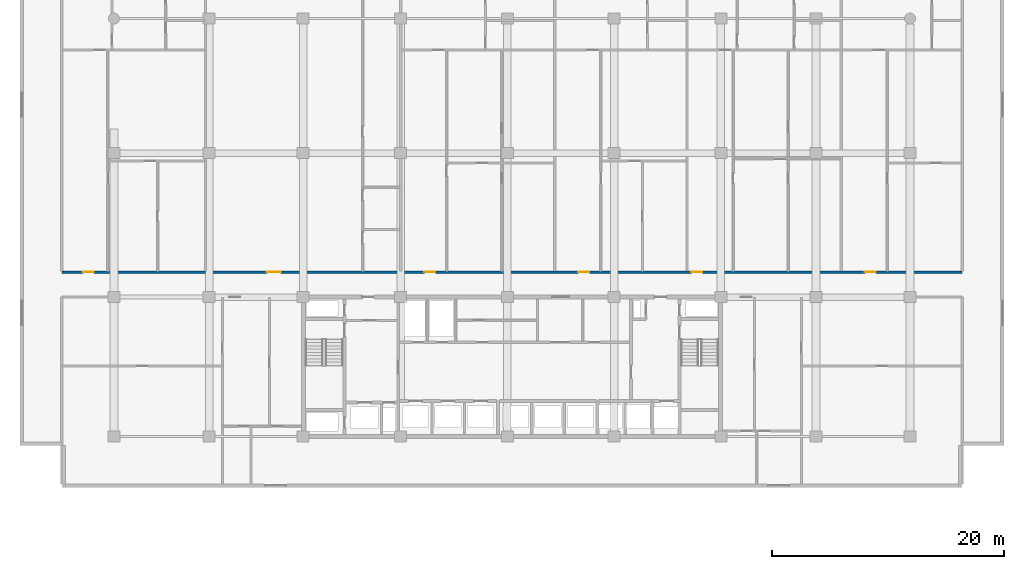
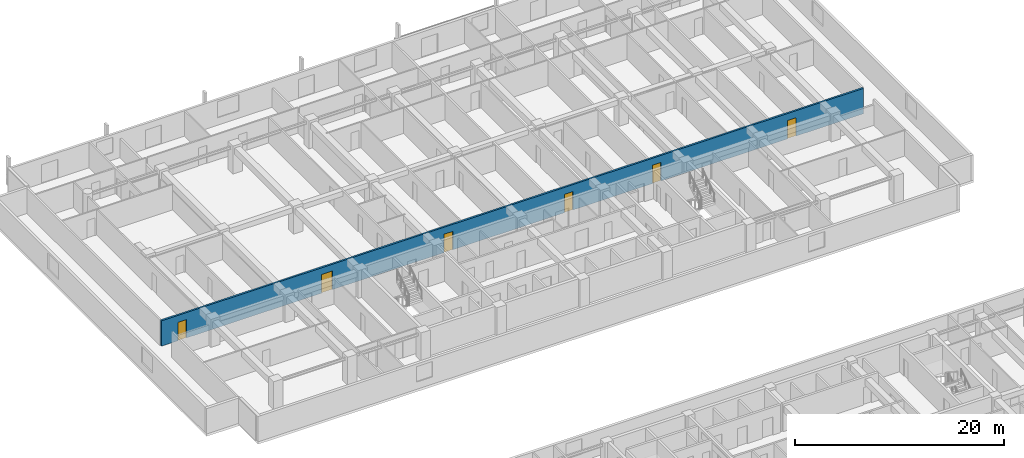
# One storey, part 13 of 23: 6 doors, 1 wall, 6 openings.
"""IFC4 building model written with IfcOpenShell, lengths in metres."""

from ifc_helpers import new_model, si_unit, direction, frame, frame_2d, origin, place, context, subcontext, project, spatial, rectangle, extrude, material, layer, layer_set, type_object, element, fill, save


model = new_model("IFC4")

# Units and contexts
model_context = context("Model", 3, precision=1e-05, world=origin(), true_north=direction((0.0, 1.0)))
body_context = subcontext(model_context, "Body", "Model", "MODEL_VIEW")
ifc_project = project(units=[si_unit("LENGTHUNIT", "METRE"), si_unit("AREAUNIT", "SQUARE_METRE"), si_unit("VOLUMEUNIT", "CUBIC_METRE"), si_unit("PLANEANGLEUNIT", "RADIAN"), si_unit("MASSUNIT", "GRAM", prefix="KILO")], contexts=[model_context])

# Site, building, storey
site_placement = place(None, origin())
site = spatial("IfcSite", under=ifc_project, at=site_placement, CompositionType="ELEMENT")
building_placement = place(site_placement, origin())
building = spatial("IfcBuilding", under=site, at=building_placement, Name="Korimba Cascade Residences", CompositionType="ELEMENT")
storey_placement = place(building_placement, frame((0.0, 0.0, 33.75)))
storey = spatial("IfcBuildingStorey", under=building, at=storey_placement, Name="L08", CompositionType="ELEMENT", Elevation=33.75)

# Wall, openings, doors
ifc_material_1 = material(Name="Precast concrete C40/50", Category="concrete")
ifc_layer = layer(ifc_material_1, 0.199951171875)
ifc_layer_set = layer_set([ifc_layer], Name="Precast concrete C40/50")
wall_type = type_object("IfcWallType", Name="WAL-IT-200", PredefinedType="PARTITIONING", material=ifc_layer_set)
wall_placement = place(storey_placement, frame((55.300048828125, 69.35009765625, 0.0), z_axis=(0.0, 0.0, 1.0), x_axis=(1.0, 0.0, 0.0)))
wall = element("IfcWall", 1, at=wall_placement, inside=storey, type_object=wall_type, Name="L08 Partition Wall WAL-L08-T1-CORN", PredefinedType="PARTITIONING", context=body_context, shape_type="SweptSolid", body=[
    extrude(rectangle(XDim=77.599853515625, YDim=0.199951171875, at=frame_2d((38.7998046875, 0.0))), origin(), (0.0, 0.0, 1.0), 2.969970703125),
])
opening_1_placement = place(wall_placement, frame((1.81005859375, 0.0, 0.0)))
opening_1 = element("IfcOpeningElement", 2, at=opening_1_placement, cuts=wall, Name="Opening D-UN1", PredefinedType="OPENING", context=body_context, shape_type="SweptSolid", body=[
    extrude(rectangle(XDim=0.949951171875, YDim=2.14990234375, at=frame_2d((0.47509765625, 1.074951171875))), frame((0.0, 0.10986328125, 0.0), z_axis=(0.0, -1.0, 0.0), x_axis=(1.0, 0.0, 0.0)), (0.0, 0.0, 1.0), 0.219970703125),
])
opening_2_placement = place(wall_placement, frame((17.668212890625, 0.0, 0.0)))
opening_2 = element("IfcOpeningElement", 3, at=opening_2_placement, cuts=wall, Name="Opening D-AM1", PredefinedType="OPENING", context=body_context, shape_type="SweptSolid", body=[
    extrude(rectangle(XDim=1.219970703125, YDim=2.179931640625, at=frame_2d((0.60986328125, 1.08984375))), frame((0.0, 0.10986328125, 0.0), z_axis=(0.0, -1.0, 0.0), x_axis=(1.0, 0.0, 0.0)), (0.0, 0.0, 1.0), 0.219970703125),
])
opening_3_placement = place(wall_placement, frame((31.244384765625, 0.0, 0.0)))
opening_3 = element("IfcOpeningElement", 4, at=opening_3_placement, cuts=wall, Name="Opening D-UN1", PredefinedType="OPENING", context=body_context, shape_type="SweptSolid", body=[
    extrude(rectangle(XDim=0.949951171875, YDim=2.14990234375, at=frame_2d((0.47509765625, 1.074951171875))), frame((0.0, 0.10986328125, 0.0), z_axis=(0.0, -1.0, 0.0), x_axis=(1.0, 0.0, 0.0)), (0.0, 0.0, 1.0), 0.219970703125),
])
opening_4_placement = place(wall_placement, frame((44.527099609375, 0.0, 0.0)))
opening_4 = element("IfcOpeningElement", 5, at=opening_4_placement, cuts=wall, Name="Opening D-UN1", PredefinedType="OPENING", context=body_context, shape_type="SweptSolid", body=[
    extrude(rectangle(XDim=0.949951171875, YDim=2.14990234375, at=frame_2d((0.47509765625, 1.074951171875))), frame((0.0, 0.10986328125, 0.0), z_axis=(0.0, -1.0, 0.0), x_axis=(1.0, 0.0, 0.0)), (0.0, 0.0, 1.0), 0.219970703125),
])
opening_5_placement = place(wall_placement, frame((54.257080078125, 0.0, 0.0)))
opening_5 = element("IfcOpeningElement", 6, at=opening_5_placement, cuts=wall, Name="Opening D-UN1", PredefinedType="OPENING", context=body_context, shape_type="SweptSolid", body=[
    extrude(rectangle(XDim=0.949951171875, YDim=2.14990234375, at=frame_2d((0.47509765625, 1.074951171875))), frame((0.0, 0.10986328125, 0.0), z_axis=(0.0, -1.0, 0.0), x_axis=(1.0, 0.0, 0.0)), (0.0, 0.0, 1.0), 0.219970703125),
])
opening_6_placement = place(wall_placement, frame((69.21484375, 0.0, 0.0)))
opening_6 = element("IfcOpeningElement", 7, at=opening_6_placement, cuts=wall, Name="Opening D-UN1", PredefinedType="OPENING", context=body_context, shape_type="SweptSolid", body=[
    extrude(rectangle(XDim=0.949951171875, YDim=2.14990234375, at=frame_2d((0.47509765625, 1.074951171875))), frame((0.0, 0.10986328125, 0.0), z_axis=(0.0, -1.0, 0.0), x_axis=(1.0, 0.0, 0.0)), (0.0, 0.0, 1.0), 0.219970703125),
])
ifc_material_2 = material(Name="Fire-Rated Glazed Timber Suite Door", Category="wood")
door_type_1 = type_object("IfcDoorType", Name="DR-FD60-1200", OperationType="NOTDEFINED", PredefinedType="DOOR", material=ifc_material_2)
door_1_placement = place(opening_2_placement, origin())
door_1 = element("IfcDoor", 8, at=door_1_placement, inside=storey, type_object=door_type_1, Name="L08-T1-U02 Business Collaboration Office Door", OperationType="SINGLE_SWING_RIGHT", OverallHeight=2.179931640625, OverallWidth=1.219970703125, PredefinedType="DOOR", context=body_context, shape_type="SweptSolid", body=[
    extrude(rectangle(XDim=1.219970703125, YDim=2.179931640625, at=frame_2d((0.60986328125, 1.08984375))), frame((0.0, 0.02490234375, 0.0), z_axis=(0.0, -1.0, 0.0), x_axis=(1.0, 0.0, 0.0)), (0.0, 0.0, 1.0), 0.050048828125),
])
fill(opening_2, door_1)
ifc_material_3 = material(Name="Fire-Rated Hardwood Apartment Entrance Door", Category="wood")
door_type_2 = type_object("IfcDoorType", Name="DR-FD60-950", OperationType="NOTDEFINED", PredefinedType="DOOR", material=ifc_material_3)
door_2_placement = place(opening_1_placement, origin())
door_2 = element("IfcDoor", 9, at=door_2_placement, inside=storey, type_object=door_type_2, Name="Unit L08-T1-U01 Entrance Door", OperationType="SINGLE_SWING_LEFT", OverallHeight=2.14990234375, OverallWidth=0.949951171875, PredefinedType="DOOR", context=body_context, shape_type="SweptSolid", body=[
    extrude(rectangle(XDim=0.949951171875, YDim=2.14990234375, at=frame_2d((0.47509765625, 1.074951171875))), frame((0.0, 0.02490234375, 0.0), z_axis=(0.0, -1.0, 0.0), x_axis=(1.0, 0.0, 0.0)), (0.0, 0.0, 1.0), 0.050048828125),
])
fill(opening_1, door_2)
door_3_placement = place(opening_3_placement, origin())
door_3 = element("IfcDoor", 10, at=door_3_placement, inside=storey, type_object=door_type_2, Name="Unit L08-T1-U03 Entrance Door", OperationType="SINGLE_SWING_LEFT", OverallHeight=2.14990234375, OverallWidth=0.949951171875, PredefinedType="DOOR", context=body_context, shape_type="SweptSolid", body=[
    extrude(rectangle(XDim=0.949951171875, YDim=2.14990234375, at=frame_2d((0.47509765625, 1.074951171875))), frame((0.0, 0.02490234375, 0.0), z_axis=(0.0, -1.0, 0.0), x_axis=(1.0, 0.0, 0.0)), (0.0, 0.0, 1.0), 0.050048828125),
])
fill(opening_3, door_3)
door_4_placement = place(opening_4_placement, origin())
door_4 = element("IfcDoor", 11, at=door_4_placement, inside=storey, type_object=door_type_2, Name="Unit L08-T1-U04 Entrance Door", OperationType="SINGLE_SWING_RIGHT", OverallHeight=2.14990234375, OverallWidth=0.949951171875, PredefinedType="DOOR", context=body_context, shape_type="SweptSolid", body=[
    extrude(rectangle(XDim=0.949951171875, YDim=2.14990234375, at=frame_2d((0.47509765625, 1.074951171875))), frame((0.0, 0.02490234375, 0.0), z_axis=(0.0, -1.0, 0.0), x_axis=(1.0, 0.0, 0.0)), (0.0, 0.0, 1.0), 0.050048828125),
])
fill(opening_4, door_4)
door_5_placement = place(opening_5_placement, origin())
door_5 = element("IfcDoor", 12, at=door_5_placement, inside=storey, type_object=door_type_2, Name="Unit L08-T1-U05 Entrance Door", OperationType="SINGLE_SWING_LEFT", OverallHeight=2.14990234375, OverallWidth=0.949951171875, PredefinedType="DOOR", context=body_context, shape_type="SweptSolid", body=[
    extrude(rectangle(XDim=0.949951171875, YDim=2.14990234375, at=frame_2d((0.47509765625, 1.074951171875))), frame((0.0, 0.02490234375, 0.0), z_axis=(0.0, -1.0, 0.0), x_axis=(1.0, 0.0, 0.0)), (0.0, 0.0, 1.0), 0.050048828125),
])
fill(opening_5, door_5)
door_6_placement = place(opening_6_placement, origin())
door_6 = element("IfcDoor", 13, at=door_6_placement, inside=storey, type_object=door_type_2, Name="Unit L08-T1-U06 Entrance Door", OperationType="SINGLE_SWING_RIGHT", OverallHeight=2.14990234375, OverallWidth=0.949951171875, PredefinedType="DOOR", context=body_context, shape_type="SweptSolid", body=[
    extrude(rectangle(XDim=0.949951171875, YDim=2.14990234375, at=frame_2d((0.47509765625, 1.074951171875))), frame((0.0, 0.02490234375, 0.0), z_axis=(0.0, -1.0, 0.0), x_axis=(1.0, 0.0, 0.0)), (0.0, 0.0, 1.0), 0.050048828125),
])
fill(opening_6, door_6)

save(model, "model.ifc")
